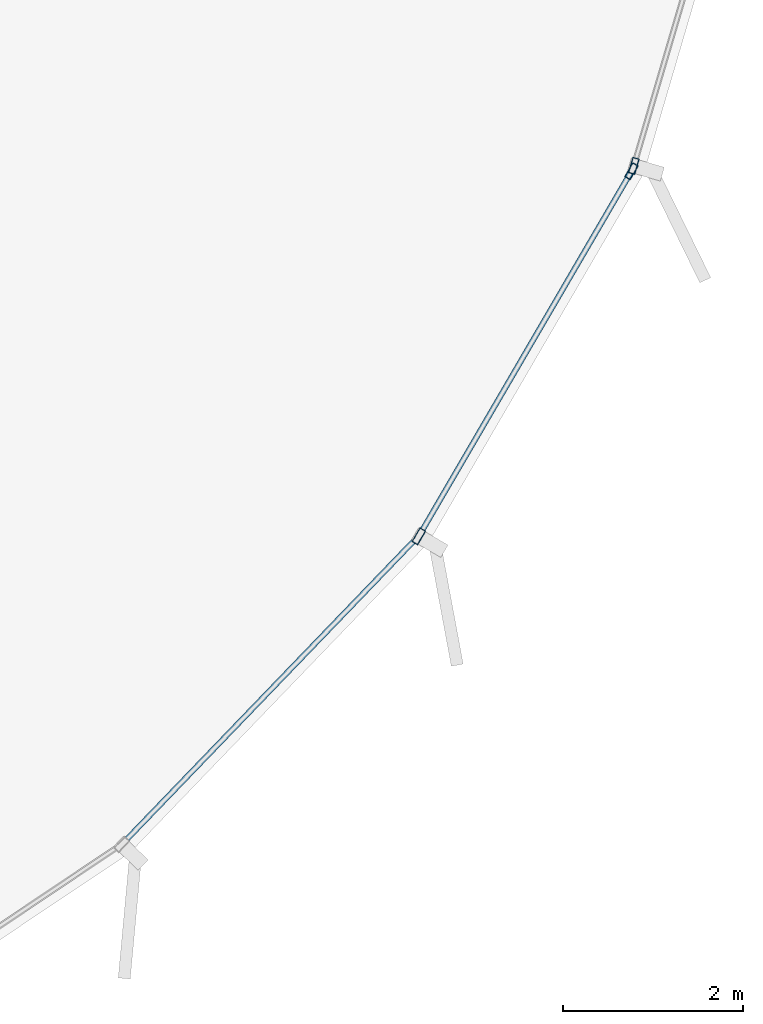
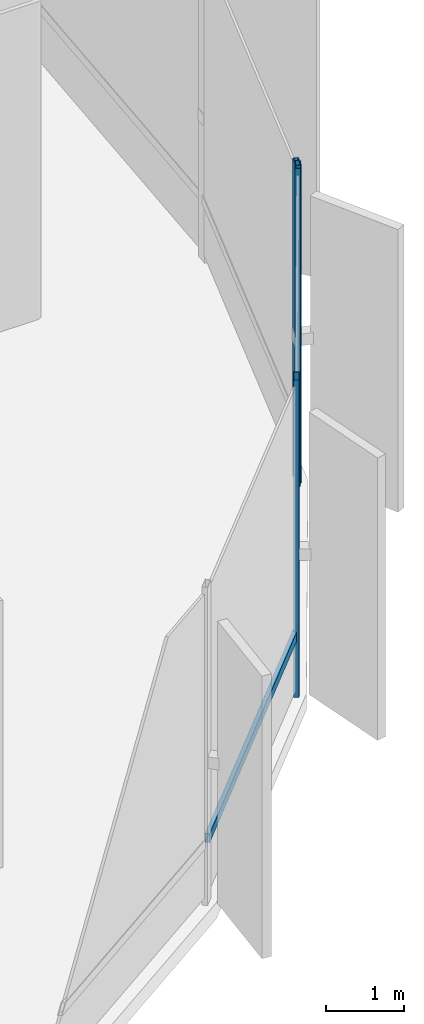
# One storey, part 16 of 35: 5 members, 2 elements without a shape of their own.
"""IFC4 building model written with IfcOpenShell, lengths in metres."""

from ifc_helpers import new_model, si_unit, direction, frame, origin, origin_2d, place, context, subcontext, project, spatial, hollow_rectangle, extrude, source, transform, mapped, material, layer, layer_set, material_profile, profile_set, type_object, element, aggregate, save


model = new_model("IFC4")

# Units and contexts
model_context = context("Model", 3, precision=1e-05, world=origin(), true_north=direction((0.0, 1.0)))
body_context = subcontext(model_context, "Body", "Model", "MODEL_VIEW")
ifc_project = project(units=[si_unit("LENGTHUNIT", "METRE"), si_unit("AREAUNIT", "SQUARE_METRE"), si_unit("VOLUMEUNIT", "CUBIC_METRE"), si_unit("PLANEANGLEUNIT", "RADIAN"), si_unit("MASSUNIT", "GRAM", prefix="KILO"), si_unit("THERMODYNAMICTEMPERATUREUNIT", "KELVIN")], contexts=[model_context])

# Site, building, storey
site_placement = place(None, origin())
site = spatial("IfcSite", under=ifc_project, at=site_placement, CompositionType="ELEMENT")
building_placement = place(site_placement, origin())
building = spatial("IfcBuilding", under=site, at=building_placement, Name="Kethvar Cultural Tower", CompositionType="ELEMENT")
storey_placement = place(building_placement, origin())
storey = spatial("IfcBuildingStorey", under=building, at=storey_placement, Name="L00", CompositionType="ELEMENT", Elevation=0.0)

# Curtain wall, members
ifc_material = material(Name="Aluminium 6063-T6", Category="aluminium")
ifc_layer = layer(ifc_material, 0.179931640625, Name="Aluminium 6063-T6", Category="aluminium")
ifc_layer_set = layer_set([ifc_layer], Name="Aluminium 6063-T6 (180 mm)")
curtain_wall_type = type_object("IfcCurtainWallType", Name="CW-SYS-01-POD", PredefinedType="NOTDEFINED", material=ifc_layer_set)
curtain_wall_1_placement = place(storey_placement, origin())
curtain_wall_1 = element("IfcCurtainWall", 1, at=curtain_wall_1_placement, inside=storey, type_object=curtain_wall_type, Name="L00 Curtain Wall Run 04", PredefinedType="NOTDEFINED")
ifc_material_profile_1 = material_profile(ifc_material, hollow_rectangle(XDim=0.074951171875, YDim=0.179931640625, WallThickness=0.006103515625, at=origin_2d()), Name="Aluminium 6063-T6 — RHS180x75x6")
ifc_profile_set_1 = profile_set([ifc_material_profile_1], Name="Aluminium 6063-T6 — RHS180x75x6")
member_type_1 = type_object("IfcMemberType", Name="CW-SYS-01-POD-MUL", PredefinedType="MULLION", material=ifc_profile_set_1)
shared_shape_1 = source(origin(), body_context, "Body", "SweptSolid", [
    extrude(hollow_rectangle(XDim=0.074951171875, YDim=0.179931640625, WallThickness=0.006103515625, at=origin_2d()), origin(), (0.0, 0.0, 1.0), 4.949951171875),
])
member_1_placement = place(storey_placement, frame((78.772216796875, 11.671630859375, 0.0), z_axis=(0.0, 0.0, 1.0), x_axis=(-0.863984939927, 0.503517649721, 0.0)))
member_1 = element("IfcMember", 2, at=member_1_placement, type_object=member_type_1, Name="CW-L00-R04 Mullion 6", PredefinedType="MULLION", context=body_context, shape_type="MappedRepresentation", body=[
    mapped(shared_shape_1, transform((0.0, 0.0, 0.0), scale=1.0)),
])
member_2_placement = place(storey_placement, frame((81.13818359375, 15.731689453125, 0.0), z_axis=(0.0, 0.0, 1.0), x_axis=(-0.863984939927, 0.503517649721, 0.0)))
member_2 = element("IfcMember", 3, at=member_2_placement, type_object=member_type_1, Name="CW-L00-R04 Mullion 7", PredefinedType="MULLION", context=body_context, shape_type="MappedRepresentation", body=[
    mapped(shared_shape_1, transform((0.0, 0.0, 0.0), scale=1.0)),
])

# Curtain wall, member
curtain_wall_2_placement = place(storey_placement, origin())
curtain_wall_2 = element("IfcCurtainWall", 4, at=curtain_wall_2_placement, inside=storey, type_object=curtain_wall_type, Name="L00 Curtain Wall Run 05", PredefinedType="NOTDEFINED")
member_3_placement = place(storey_placement, frame((81.1640625, 15.791748046875, 0.0), z_axis=(0.0, 0.0, 1.0), x_axis=(-0.959496102658, 0.28172190008, 0.0)))
member_3 = element("IfcMember", 5, at=member_3_placement, type_object=member_type_1, Name="CW-L00-R05 Mullion 1", PredefinedType="MULLION", context=body_context, shape_type="MappedRepresentation", body=[
    mapped(shared_shape_1, transform((0.0, 0.0, 0.0), scale=1.0)),
])
aggregate(curtain_wall_2, [member_3])

# Member
ifc_material_profile_2 = material_profile(ifc_material, hollow_rectangle(XDim=0.06005859375, YDim=0.139892578125, WallThickness=0.0048828125, at=origin_2d()), Name="Aluminium 6063-T6 — RHS140x60x5")
ifc_profile_set_2 = profile_set([ifc_material_profile_2], Name="Aluminium 6063-T6 — RHS140x60x5")
member_type_2 = type_object("IfcMemberType", Name="CW-SYS-01-POD-TRN", PredefinedType="USERDEFINED", material=ifc_profile_set_2)
shared_shape_2 = source(origin(), body_context, "Body", "SweptSolid", [
    extrude(hollow_rectangle(XDim=0.06005859375, YDim=0.139892578125, WallThickness=0.0048828125, at=origin_2d()), origin(), (0.0, 0.0, 1.0), 4.639892578125),
])
member_4_placement = place(storey_placement, frame((78.79931640625, 11.71826171875, 0.949951171875), z_axis=(0.503504560489, 0.863992568004, 0.0), x_axis=(-0.863992568004, 0.503504560489, 0.0)))
member_4 = element("IfcMember", 6, at=member_4_placement, type_object=member_type_2, Name="CW-L00-R04 Transom 6", ObjectType="TRANSOM", PredefinedType="USERDEFINED", context=body_context, shape_type="MappedRepresentation", body=[
    mapped(shared_shape_2, transform((0.0, 0.0, 0.0), scale=1.0)),
])

shared_shape_3 = source(origin(), body_context, "Body", "SweptSolid", [
    extrude(hollow_rectangle(XDim=0.06005859375, YDim=0.139892578125, WallThickness=0.0048828125, at=origin_2d()), origin(), (0.0, 0.0, 1.0), 4.6826171875),
])
member_5_placement = place(storey_placement, frame((75.5068359375, 8.283203125, 0.949951171875), z_axis=(0.693341040309, 0.72060960431, 0.0), x_axis=(-0.72060960431, 0.693341040309, 0.0)))
member_5 = element("IfcMember", 7, at=member_5_placement, type_object=member_type_2, Name="CW-L00-R04 Transom 5", ObjectType="TRANSOM", PredefinedType="USERDEFINED", context=body_context, shape_type="MappedRepresentation", body=[
    mapped(shared_shape_3, transform((0.0, 0.0, 0.0), scale=1.0)),
])

aggregate(curtain_wall_1, [member_1, member_2, member_5, member_4])

save(model, "model.ifc")
